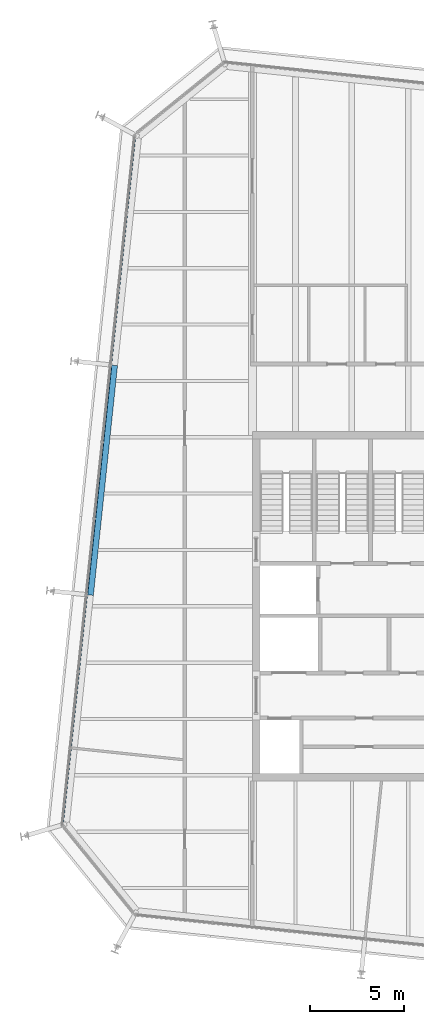
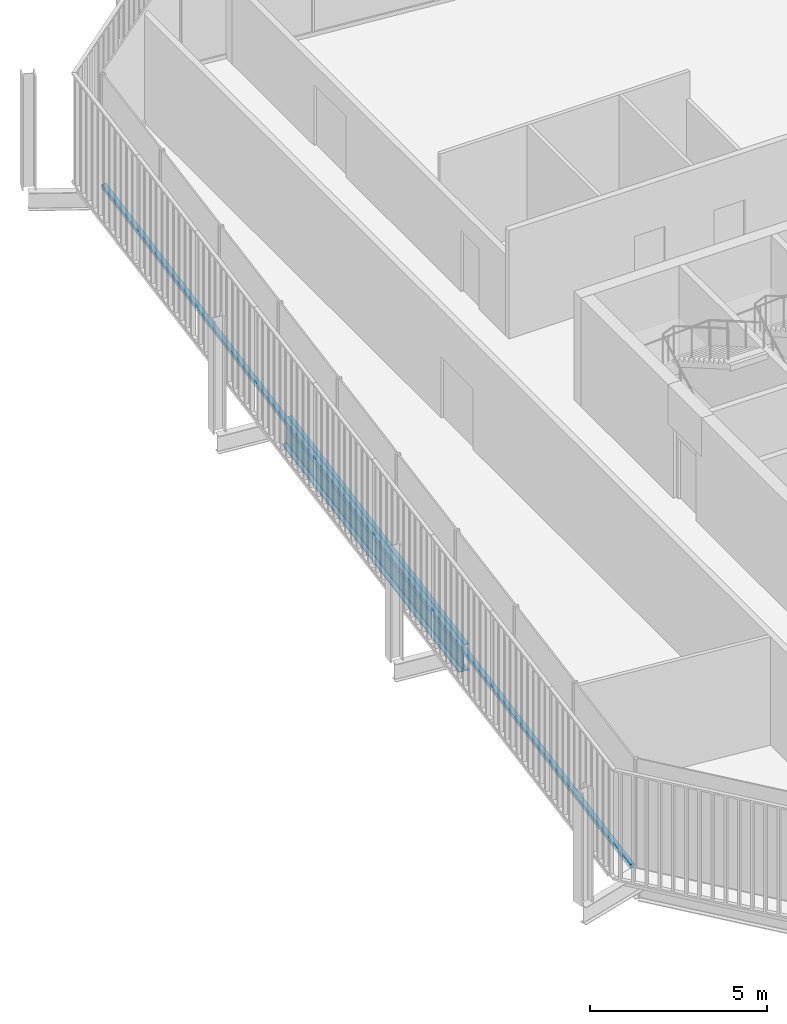
# One storey, part 7 of 20: 1 beam, 1 member, 1 element without a shape of its own.
"""IFC4 building model written with IfcOpenShell, lengths in metres."""

from ifc_helpers import new_model, si_unit, direction, frame, origin, origin_2d, place, context, subcontext, project, spatial, rectangle, i_section, extrude, material, layer, layer_set, material_profile, profile_set, type_object, element, aggregate, save


model = new_model("IFC4")

# Units and contexts
model_context = context("Model", 3, precision=1e-05, world=origin(), true_north=direction((0.0, 1.0)))
body_context = subcontext(model_context, "Body", "Model", "MODEL_VIEW")
ifc_project = project(units=[si_unit("LENGTHUNIT", "METRE"), si_unit("AREAUNIT", "SQUARE_METRE"), si_unit("VOLUMEUNIT", "CUBIC_METRE"), si_unit("PLANEANGLEUNIT", "RADIAN"), si_unit("MASSUNIT", "GRAM", prefix="KILO")], contexts=[model_context])

# Site, building, storey
site_placement = place(None, origin())
site = spatial("IfcSite", under=ifc_project, at=site_placement, CompositionType="ELEMENT")
building_placement = place(site_placement, origin())
building = spatial("IfcBuilding", under=site, at=building_placement, Name="Millrace Tower", CompositionType="ELEMENT")
storey_placement = place(building_placement, frame((0.0, 0.0, 295.5)))
storey = spatial("IfcBuildingStorey", under=building, at=storey_placement, Name="L68", CompositionType="ELEMENT", Elevation=295.5)

# Curtain wall, member
ifc_material_1 = material(Name="Aluminium and glass", Category="aluminium")
ifc_layer = layer(ifc_material_1, 0.14990234375)
ifc_layer_set = layer_set([ifc_layer], Name="Aluminium and glass")
curtain_wall_type = type_object("IfcCurtainWallType", Name="CW-1 office vision curtain wall", PredefinedType="NOTDEFINED", material=ifc_layer_set)
curtain_wall_placement = place(storey_placement, origin())
curtain_wall = element("IfcCurtainWall", 1, at=curtain_wall_placement, inside=storey, type_object=curtain_wall_type, Name="Curtain wall E-F08 L68", PredefinedType="NOTDEFINED")
ifc_material_2 = material(Name="Aluminium", Category="aluminium")
ifc_material_profile_1 = material_profile(ifc_material_2, rectangle(XDim=0.14990234375, YDim=0.139892578125, at=origin_2d()))
ifc_profile_set_1 = profile_set([ifc_material_profile_1], Name="Aluminium")
member_type = type_object("IfcMemberType", Name="CW-1 office vision curtain wall transom", PredefinedType="USERDEFINED", material=ifc_profile_set_1)
member_placement = place(storey_placement, frame((-20.581787109375, 24.9853515625, 0.070068359375), z_axis=(-0.104527916025, -0.994521952886, 0.0), x_axis=(0.994521952886, -0.104527916025, 0.0)))
member = element("IfcMember", 2, at=member_placement, type_object=member_type, Name="CW1 transom E-F08.1", ObjectType="TRANSOM", PredefinedType="USERDEFINED", context=body_context, shape_type="SweptSolid", body=[
    extrude(rectangle(XDim=0.14990234375, YDim=0.139892578125, at=origin_2d()), origin(), (0.0, 0.0, 1.0), 36.699951171875),
])
aggregate(curtain_wall, [member])

# Beam
ifc_material_3 = material(Name="Steel ASTM A992 Grade 50", Category="steel")
ifc_material_profile_2 = material_profile(ifc_material_3, i_section(OverallWidth=0.307373046875, OverallDepth=0.927001953125, WebThickness=0.01953125, FlangeThickness=0.031982421875, FilletRadius=0.01904296875, at=origin_2d()))
ifc_profile_set_2 = profile_set([ifc_material_profile_2], Name="Steel ASTM A992 Grade 50")
beam_type = type_object("IfcBeamType", Name="Ring beam medium span W36x194", PredefinedType="SPANDREL", material=ifc_profile_set_2)
beam_placement = place(storey_placement, frame((-22.915283203125, 0.595703125, -0.62353515625), z_axis=(0.104523600289, 0.994522406476, 0.0), x_axis=(-0.994522406476, 0.104523600289, 0.0)))
element("IfcBeam", 3, at=beam_placement, inside=storey, type_object=beam_type, Name="RNG-E-L68-S1-02", PredefinedType="SPANDREL", context=body_context, shape_type="SweptSolid", body=[
    extrude(i_section(OverallWidth=0.307373046875, OverallDepth=0.927001953125, WebThickness=0.01953125, FlangeThickness=0.031982421875, FilletRadius=0.01904296875, at=origin_2d()), origin(), (0.0, 0.0, 1.0), 12.300048828125),
])

save(model, "model.ifc")
